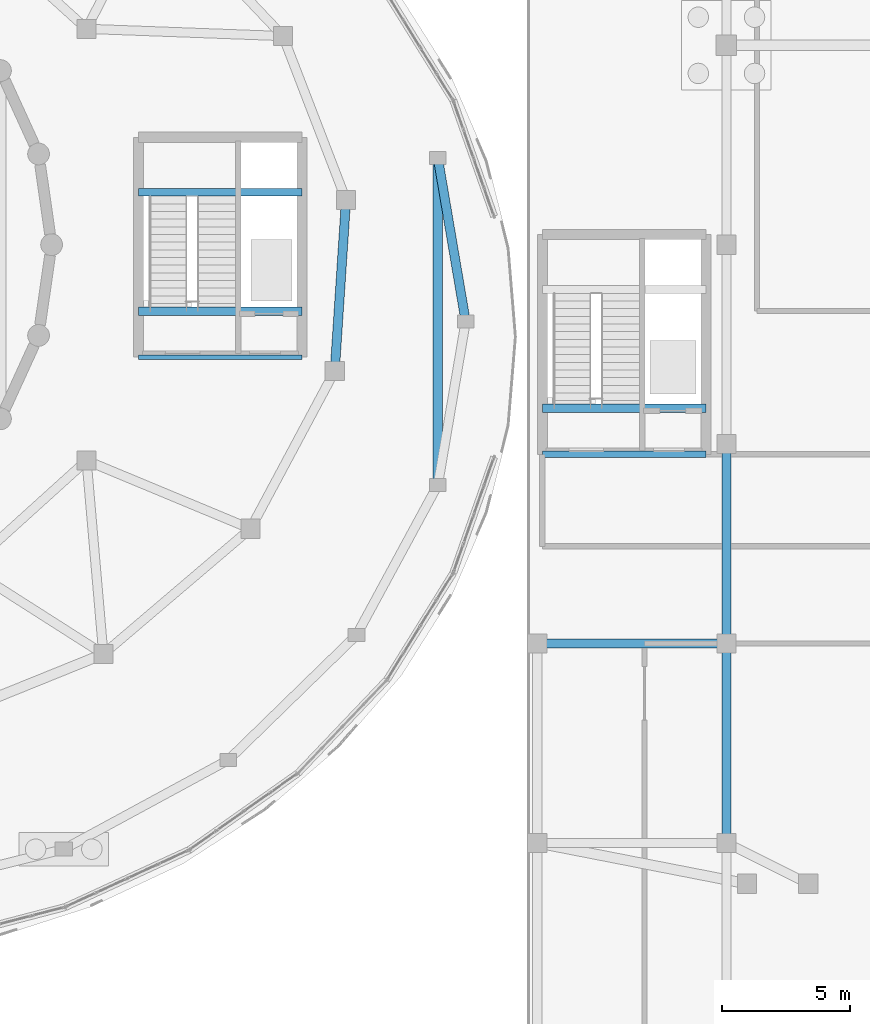
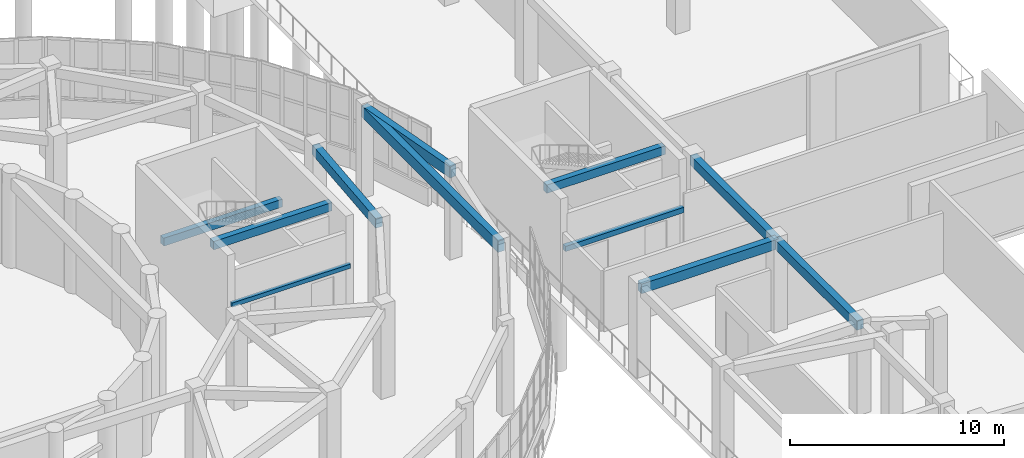
# One storey, part 54 of 96: 11 beams.
"""IFC4 building model written with IfcOpenShell, lengths in metres."""

from ifc_helpers import new_model, si_unit, direction, frame, origin, origin_2d, place, context, subcontext, project, spatial, rectangle, extrude, material, material_profile, profile_set, type_object, element, save


model = new_model("IFC4")

# Units and contexts
model_context = context("Model", 3, precision=1e-05, world=origin(), true_north=direction((0.0, 1.0)))
body_context = subcontext(model_context, "Body", "Model", "MODEL_VIEW")
ifc_project = project(units=[si_unit("LENGTHUNIT", "METRE"), si_unit("AREAUNIT", "SQUARE_METRE"), si_unit("VOLUMEUNIT", "CUBIC_METRE"), si_unit("PLANEANGLEUNIT", "RADIAN"), si_unit("MASSUNIT", "GRAM", prefix="KILO")], contexts=[model_context])

# Site, building, storey
site_placement = place(None, origin())
site = spatial("IfcSite", under=ifc_project, at=site_placement, CompositionType="ELEMENT")
building_placement = place(site_placement, origin())
building = spatial("IfcBuilding", under=site, at=building_placement, Name="Pelvatis Terrace Science Centre", CompositionType="ELEMENT")
storey_placement = place(building_placement, origin())
storey = spatial("IfcBuildingStorey", under=building, at=storey_placement, Name="L00", CompositionType="ELEMENT", Elevation=0.0)

# Beams
ifc_material_1 = material(Name="Concrete C35/45", Category="concrete")
ifc_material_profile_1 = material_profile(ifc_material_1, rectangle(XDim=0.300048828125, YDim=0.449951171875, at=origin_2d()), Name="RC-BM 300x450")
ifc_profile_set_1 = profile_set([ifc_material_profile_1], Name="Concrete C35/45")
beam_type_1 = type_object("IfcBeamType", Name="BM-RC-300x450", PredefinedType="BEAM", material=ifc_profile_set_1)
beam_1_placement = place(storey_placement, frame((125.199951171875, 87.85009765625, 2.27490234375), z_axis=(1.0, 0.0, 0.0), x_axis=(0.0, 1.0, 0.0)))
element("IfcBeam", 1, at=beam_1_placement, inside=storey, type_object=beam_type_1, Name="Core C2 half-landing beam (L00)", PredefinedType="BEAM", context=body_context, shape_type="SweptSolid", body=[
    extrude(rectangle(XDim=0.300048828125, YDim=0.449951171875, at=origin_2d()), origin(), (0.0, 0.0, 1.0), 6.400146484375),
])
ifc_material_2 = material(Name="Concrete C35/45", Category="concrete")
ifc_material_profile_2 = material_profile(ifc_material_2, rectangle(XDim=0.320068359375, YDim=0.47998046875, at=origin_2d()), Name="RC-BM 320x480")
ifc_profile_set_2 = profile_set([ifc_material_profile_2], Name="Concrete C35/45")
beam_type_2 = type_object("IfcBeamType", Name="BM-RC-320x480", PredefinedType="BEAM", material=ifc_profile_set_2)
beam_2_placement = place(storey_placement, frame((125.199951171875, 83.199951171875, 4.89990234375), z_axis=(1.0, 0.0, 0.0), x_axis=(0.0, 1.0, 0.0)))
element("IfcBeam", 2, at=beam_2_placement, inside=storey, type_object=beam_type_2, Name="Core C2 stair header beam (L00)", PredefinedType="BEAM", context=body_context, shape_type="SweptSolid", body=[
    extrude(rectangle(XDim=0.320068359375, YDim=0.47998046875, at=origin_2d()), origin(), (0.0, 0.0, 1.0), 6.400146484375),
])
beam_3_placement = place(storey_placement, frame((141.0, 79.39990234375, 4.89990234375), z_axis=(1.0, 0.0, 0.0), x_axis=(0.0, 1.0, 0.0)))
element("IfcBeam", 3, at=beam_3_placement, inside=storey, type_object=beam_type_2, Name="Core C3 stair header beam (L00)", PredefinedType="BEAM", context=body_context, shape_type="SweptSolid", body=[
    extrude(rectangle(XDim=0.320068359375, YDim=0.47998046875, at=origin_2d()), origin(), (0.0, 0.0, 1.0), 6.39990234375),
])
ifc_material_3 = material(Name="Concrete C35/45", Category="concrete")
ifc_material_profile_3 = material_profile(ifc_material_3, rectangle(XDim=0.360107421875, YDim=0.550048828125, at=origin_2d()), Name="RC-BM 360x550")
ifc_profile_set_3 = profile_set([ifc_material_profile_3], Name="Concrete C35/45")
beam_type_3 = type_object("IfcBeamType", Name="BM-RC-360x550", PredefinedType="BEAM", material=ifc_profile_set_3)
beam_4_placement = place(storey_placement, frame((133.31884765625, 87.552001953125, 4.864990234375), z_axis=(-0.065837804337, -0.997830338044, 0.0), x_axis=(0.997830338044, -0.065837804337, 0.0)))
element("IfcBeam", 4, at=beam_4_placement, inside=storey, type_object=beam_type_3, Name="Beam BM-L00-2259", PredefinedType="BEAM", context=body_context, shape_type="SweptSolid", body=[
    extrude(rectangle(XDim=0.360107421875, YDim=0.550048828125, at=origin_2d()), origin(), (0.0, 0.0, 1.0), 6.708251953125),
])
beam_5_placement = place(storey_placement, frame((140.800048828125, 70.199951171875, 4.864990234375), z_axis=(1.0, 0.0, 0.0), x_axis=(0.0, 1.0, 0.0)))
element("IfcBeam", 5, at=beam_5_placement, inside=storey, type_object=beam_type_3, Name="Beam BM-L00-2486", PredefinedType="BEAM", context=body_context, shape_type="SweptSolid", body=[
    extrude(rectangle(XDim=0.360107421875, YDim=0.550048828125, at=origin_2d()), origin(), (0.0, 0.0, 1.0), 7.39990234375),
])
for number, where, z_axis, x_axis, name in (
    (6, (148.199951171875, 62.39990234375, 4.864990234375), (0.0, 1.0, 0.0), (-1.0, 0.0, 0.0), "Beam BM-L00-2495"),
    (7, (148.199951171875, 70.199951171875, 4.864990234375), (0.0, 1.0, 0.0), (-1.0, 0.0, 0.0), "Beam BM-L00-2497"),
):
    element("IfcBeam", number, at=place(storey_placement, frame(where, z_axis=z_axis, x_axis=x_axis)), inside=storey, type_object=beam_type_3, Name=name, PredefinedType="BEAM", context=body_context, shape_type="SweptSolid", body=[
        extrude(rectangle(XDim=0.360107421875, YDim=0.550048828125, at=origin_2d()), origin(), (0.0, 0.0, 1.0), 7.800048828125),
    ])
ifc_material_4 = material(Name="Concrete C35/45", Category="concrete")
ifc_material_profile_4 = material_profile(ifc_material_4, rectangle(XDim=0.179931640625, YDim=0.239990234375, at=origin_2d()), Name="RC-LNT 180x240")
ifc_profile_set_4 = profile_set([ifc_material_profile_4], Name="Concrete C35/45")
beam_type_4 = type_object("IfcBeamType", Name="LNT-RC-180x240", PredefinedType="LINTEL", material=ifc_profile_set_4)
beam_6_placement = place(storey_placement, frame((125.199951171875, 81.39990234375, 2.550048828125), z_axis=(1.0, 0.0, 0.0), x_axis=(0.0, 1.0, 0.0)))
element("IfcBeam", 8, at=beam_6_placement, inside=storey, type_object=beam_type_4, Name="Core C2 lobby structural lintel (L00)", PredefinedType="LINTEL", context=body_context, shape_type="SweptSolid", body=[
    extrude(rectangle(XDim=0.179931640625, YDim=0.239990234375, at=origin_2d()), origin(), (0.0, 0.0, 1.0), 6.400146484375),
])
ifc_material_5 = material(Name="Concrete C35/45", Category="concrete")
ifc_material_profile_5 = material_profile(ifc_material_5, rectangle(XDim=0.239990234375, YDim=0.300048828125, at=origin_2d()), Name="RC-LNT 240x300")
ifc_profile_set_5 = profile_set([ifc_material_profile_5], Name="Concrete C35/45")
beam_type_5 = type_object("IfcBeamType", Name="LNT-RC-240x300", PredefinedType="LINTEL", material=ifc_profile_set_5)
beam_7_placement = place(storey_placement, frame((141.0, 77.60009765625, 2.550048828125), z_axis=(1.0, 0.0, 0.0), x_axis=(0.0, 1.0, 0.0)))
element("IfcBeam", 9, at=beam_7_placement, inside=storey, type_object=beam_type_5, Name="Core C3 lobby structural lintel (L00)", PredefinedType="LINTEL", context=body_context, shape_type="SweptSolid", body=[
    extrude(rectangle(XDim=0.239990234375, YDim=0.300048828125, at=origin_2d()), origin(), (0.0, 0.0, 1.0), 6.39990234375),
])
ifc_material_6 = material(Name="Concrete C35/45", Category="concrete")
ifc_material_profile_6 = material_profile(ifc_material_6, rectangle(XDim=0.360107421875, YDim=0.639892578125, at=origin_2d()), Name="RC-SPN 360x640")
ifc_profile_set_6 = profile_set([ifc_material_profile_6], Name="Concrete C35/45")
beam_type_6 = type_object("IfcBeamType", Name="SPN-RC-360x640", PredefinedType="SPANDREL", material=ifc_profile_set_6)
beam_8_placement = place(storey_placement, frame((138.0, 82.800048828125, 4.820068359375), z_axis=(-0.167955755204, 0.985794534522, 0.0), x_axis=(-0.985794534522, -0.167955755204, 0.0)))
element("IfcBeam", 10, at=beam_8_placement, inside=storey, type_object=beam_type_6, Name="Spandrel SP-L00-2291", PredefinedType="SPANDREL", context=body_context, shape_type="SweptSolid", body=[
    extrude(rectangle(XDim=0.360107421875, YDim=0.639892578125, at=origin_2d()), origin(), (0.0, 0.0, 1.0), 6.4873046875),
])
beam_9_placement = place(storey_placement, frame((136.910400390625, 89.1953125, 4.820068359375), z_axis=(0.0, -1.0, 0.0), x_axis=(1.0, 0.0, 0.0)))
element("IfcBeam", 11, at=beam_9_placement, inside=storey, type_object=beam_type_6, Name="Spandrel SP-L00-2293", PredefinedType="SPANDREL", context=body_context, shape_type="SweptSolid", body=[
    extrude(rectangle(XDim=0.360107421875, YDim=0.639892578125, at=origin_2d()), origin(), (0.0, 0.0, 1.0), 12.79052734375),
])

save(model, "model.ifc")
